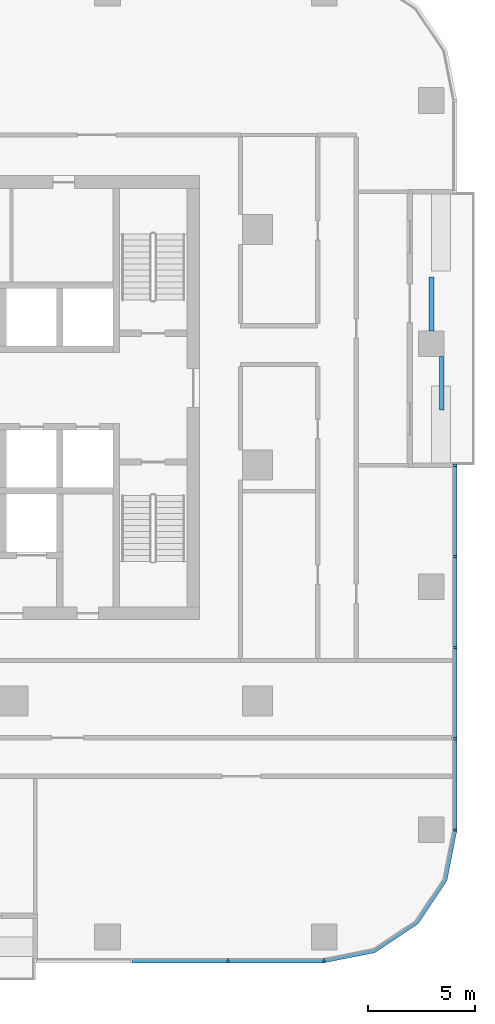
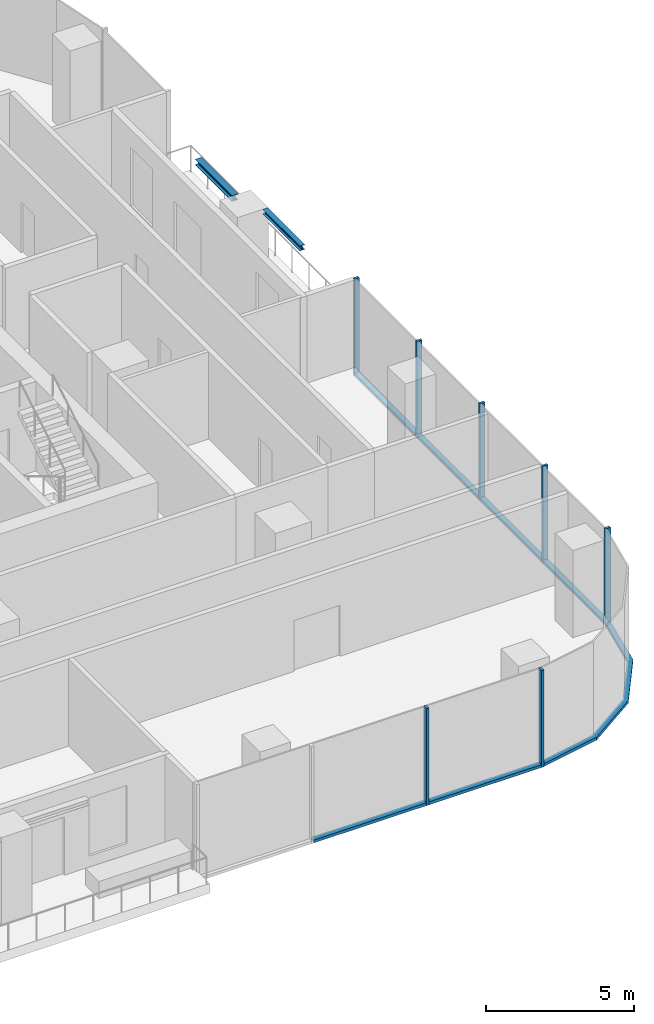
# One storey, part 3 of 14: 14 members, 2 beams, 3 elements without a shape of their own.
"""IFC4 building model written with IfcOpenShell, lengths in metres."""

import ifcopenshell
import ifcopenshell.guid

model = None  # the IFC model being written
_history = None  # IfcOwnerHistory: only IFC2X3 demands one
_inside = {}  # id of a spatial element -> (the spatial element, [elements in it])
_under = {}  # id of a project, library or spatial element -> (it, [spatial elements below it])
_declared = {}  # id of a project -> (the project, [libraries it declares])
_typed = {}  # id of a type object -> (the type object, [elements of that type])
_made_of = {}  # id of a material, layer set ... -> (it, [elements and type objects made of it])


def new_model(schema):
    """Start an empty IFC model of exactly this schema.

    Asked for "IFC4X3", IfcOpenShell would pick the latest addendum, in which some entities
    have other attributes; the version numbers below select the first issue.
    IFC2X3 requires an IfcOwnerHistory on every rooted entity: one is made here for all.
    """
    global model, _history
    if schema == "IFC4X3":
        model = ifcopenshell.file(schema_version=(4, 3, 0, 0))
    else:
        model = ifcopenshell.file(schema=schema)
    _inside.clear()
    _under.clear()
    _declared.clear()
    _typed.clear()
    _made_of.clear()
    _history = None
    if model.schema == "IFC2X3":
        org = make("IfcOrganization", Name="unknown")
        user = make(
            "IfcPersonAndOrganization",
            ThePerson=make("IfcPerson", FamilyName="unknown"),
            TheOrganization=org,
        )
        app = make(
            "IfcApplication",
            ApplicationDeveloper=org,
            Version="unknown",
            ApplicationFullName="unknown",
            ApplicationIdentifier="unknown",
        )
        _history = make(
            "IfcOwnerHistory",
            OwningUser=user,
            OwningApplication=app,
            ChangeAction="ADDED",
            CreationDate=0,
        )
    return model


def make(cls, **values):
    """One entity of the class cls with the attributes given. An attribute that is None is left unset."""
    return model.create_entity(
        cls, **{name: value for name, value in values.items() if value is not None}
    )


def rooted(cls, **values):
    """An entity with a GlobalId (a new one), such as an element, a storey or a relation."""
    return make(cls, GlobalId=ifcopenshell.guid.new(), OwnerHistory=_history, **values)


def si_unit(unit_type, name, prefix=None):
    """IfcSIUnit, for example si_unit("LENGTHUNIT", "METRE", prefix="MILLI")."""
    return make("IfcSIUnit", UnitType=unit_type, Prefix=prefix, Name=name)


def assignment(units):
    """IfcUnitAssignment: the units of a project."""
    return None if units is None else make("IfcUnitAssignment", Units=units)


def point(xyz):
    """IfcCartesianPoint."""
    return None if xyz is None else make("IfcCartesianPoint", Coordinates=xyz)


def direction(xyz):
    """IfcDirection."""
    return None if xyz is None else make("IfcDirection", DirectionRatios=xyz)


def frame(location, z_axis=None, x_axis=None):
    """IfcAxis2Placement3D, a coordinate frame: its origin and axes. An axis left out is left unset."""
    return make(
        "IfcAxis2Placement3D",
        Location=point(location),
        Axis=direction(z_axis),
        RefDirection=direction(x_axis),
    )


def frame_2d(location, x_axis=None):
    """IfcAxis2Placement2D, a coordinate frame in the plane: its origin and x axis."""
    return make(
        "IfcAxis2Placement2D", Location=point(location), RefDirection=direction(x_axis)
    )


def origin():
    """The frame at (0, 0, 0) with its axes left unset."""
    return frame((0.0, 0.0, 0.0))


def origin_2d():
    """The frame at (0, 0) in the plane with its x axis left unset."""
    return frame_2d((0.0, 0.0))


def place(relative_to, where):
    """IfcLocalPlacement: puts the frame where relative to a parent placement (None: the world)."""
    return make(
        "IfcLocalPlacement", PlacementRelTo=relative_to, RelativePlacement=where
    )


def context(
    kind, dimensions, precision=None, world=None, true_north=None, identifier=None
):
    """IfcGeometricRepresentationContext, for example the 3D "Model" context."""
    return make(
        "IfcGeometricRepresentationContext",
        ContextIdentifier=identifier,
        ContextType=kind,
        CoordinateSpaceDimension=dimensions,
        Precision=precision,
        WorldCoordinateSystem=world,
        TrueNorth=true_north,
    )


def subcontext(parent, identifier, kind, view, scale=None):
    """IfcGeometricRepresentationSubContext, for example "Body" below "Model"."""
    return make(
        "IfcGeometricRepresentationSubContext",
        ContextIdentifier=identifier,
        ContextType=kind,
        ParentContext=parent,
        TargetScale=scale,
        TargetView=view,
    )


def project(units=None, contexts=None):
    """IfcProject with its units and contexts."""
    return rooted(
        "IfcProject",
        Name="project",
        RepresentationContexts=contexts,
        UnitsInContext=assignment(units),
    )


def spatial(cls, under=None, at=None, **own):
    """A site, building, storey or space (cls), placed at a placement, below another one or the project."""
    s = rooted(cls, ObjectPlacement=at, **own)
    if under is not None:
        _under.setdefault(under.id(), (under, []))[1].append(s)
    return s


def polyline(points):
    """IfcPolyline through the points."""
    return make("IfcPolyline", Points=[point(p) for p in points])


def profile(cls, at=None, kind="AREA", **sizes):
    """A parametric profile (cls). Its sizes go by their IFC names, for example OverallWidth=200.0."""
    return make(cls, ProfileType=kind, Position=at, **sizes)


def rectangle(**sizes):
    """IfcRectangleProfileDef."""
    return profile("IfcRectangleProfileDef", **sizes)


def i_section(**sizes):
    """IfcIShapeProfileDef."""
    return profile("IfcIShapeProfileDef", **sizes)


def outline(outer, holes=None, kind="AREA"):
    """IfcArbitraryClosedProfileDef: a profile drawn as a closed curve; with holes, ...WithVoids."""
    if holes is None:
        return make("IfcArbitraryClosedProfileDef", ProfileType=kind, OuterCurve=outer)
    return make(
        "IfcArbitraryProfileDefWithVoids",
        ProfileType=kind,
        OuterCurve=outer,
        InnerCurves=holes,
    )


def extrude(swept, where, along, depth):
    """IfcExtrudedAreaSolid: the profile swept, set in the frame where, extruded along a direction by depth."""
    return make(
        "IfcExtrudedAreaSolid",
        SweptArea=swept,
        Position=where,
        ExtrudedDirection=direction(along),
        Depth=depth,
    )


def shape(context_of_items, identifier, shape_type, items):
    """IfcShapeRepresentation: the items that make up one representation, for example the "Body"."""
    return make(
        "IfcShapeRepresentation",
        ContextOfItems=context_of_items,
        RepresentationIdentifier=identifier,
        RepresentationType=shape_type,
        Items=items,
    )


def material(Name=None, Category=None):
    """IfcMaterial."""
    return make("IfcMaterial", Name=Name, Category=Category)


def material_profile(
    of_material, cross_section, Name=None, Category=None, Priority=None
):
    """IfcMaterialProfile: a cross section and its material."""
    return make(
        "IfcMaterialProfile",
        Name=Name,
        Material=of_material,
        Profile=cross_section,
        Priority=Priority,
        Category=Category,
    )


def profile_set(profiles, Name=None, composite=None):
    """IfcMaterialProfileSet."""
    return make(
        "IfcMaterialProfileSet",
        Name=Name,
        MaterialProfiles=profiles,
        CompositeProfile=composite,
    )


def made_of(thing, what):
    """Note that an element or type object is made of a material, layer set ...; save() writes the relation."""
    if what is not None:
        _made_of.setdefault(what.id(), (what, []))[1].append(thing)
    return thing


def type_object(cls, material=None, **own):
    """A type object (cls), such as IfcWallType, which elements share."""
    return made_of(rooted(cls, **own), material)


def element(
    cls,
    number,
    at=None,
    inside=None,
    cuts=None,
    type_object=None,
    material=None,
    context=None,
    identifier="Body",
    shape_type=None,
    held_by="IfcProductDefinitionShape",
    body=None,
    shapes=None,
    **own,
):
    """One element of the class cls, such as IfcWall. Its Tag is "e" and its number.

    at: its placement. inside: the storey or other place that contains it. cuts: it is an
    opening in that element (IfcRelVoidsElement). A single representation is given by context,
    identifier, shape_type and body (its items); several are given by shapes. held_by: the class
    of the entity that holds the representations. save() writes the other relations.
    """
    e = rooted(cls, Tag="e%d" % number, ObjectPlacement=at, **own)
    if body is not None:
        shapes = [shape(context, identifier, shape_type, body)]
    if shapes is not None:
        e.Representation = make(held_by, Representations=shapes)
    if inside is not None:
        _inside.setdefault(inside.id(), (inside, []))[1].append(e)
    if cuts is not None:
        rooted(
            "IfcRelVoidsElement", RelatingBuildingElement=cuts, RelatedOpeningElement=e
        )
    if type_object is not None:
        _typed.setdefault(type_object.id(), (type_object, []))[1].append(e)
    return made_of(e, material)


def aggregate(whole, parts):
    """IfcRelAggregates: a whole, such as a stair, and the parts it consists of."""
    return rooted("IfcRelAggregates", RelatingObject=whole, RelatedObjects=parts)


def save(model, path):
    """Write the relations noted so far, then the file.

    IfcRelAggregates (storeys below a building ...), IfcRelContainedInSpatialStructure (elements
    in a storey), IfcRelDefinesByType, IfcRelAssociatesMaterial and IfcRelDeclares: one each for
    every whole, place, type object, material and project.
    """
    for whole, parts in _under.values():
        aggregate(whole, parts)
    for where, things in _inside.values():
        rooted(
            "IfcRelContainedInSpatialStructure",
            RelatedElements=things,
            RelatingStructure=where,
        )
    for kind, things in _typed.values():
        rooted("IfcRelDefinesByType", RelatedObjects=things, RelatingType=kind)
    for what, things in _made_of.values():
        rooted("IfcRelAssociatesMaterial", RelatedObjects=things, RelatingMaterial=what)
    for by, libraries in _declared.values():
        rooted("IfcRelDeclares", RelatingContext=by, RelatedDefinitions=libraries)
    model.write(path)


model = new_model("IFC4")

# Units and contexts
model_context = context("Model", 3, precision=1e-05, world=origin(), true_north=direction((0.0, 1.0)))
body_context = subcontext(model_context, "Body", "Model", "MODEL_VIEW")
ifc_project = project(units=[si_unit("LENGTHUNIT", "METRE"), si_unit("AREAUNIT", "SQUARE_METRE"), si_unit("VOLUMEUNIT", "CUBIC_METRE"), si_unit("PLANEANGLEUNIT", "RADIAN"), si_unit("MASSUNIT", "GRAM", prefix="KILO")], contexts=[model_context])

# Site, building, storey
site_placement = place(None, origin())
site = spatial("IfcSite", under=ifc_project, at=site_placement, CompositionType="ELEMENT")
building_placement = place(site_placement, origin())
building = spatial("IfcBuilding", under=site, at=building_placement, Name="Mopane Tessera Tower", CompositionType="ELEMENT")
storey_placement = place(building_placement, frame((0.0, 0.0, 165.0)))
storey = spatial("IfcBuildingStorey", under=building, at=storey_placement, Name="L33", CompositionType="ELEMENT", Elevation=165.0)

# Curtain wall, members
ifc_material_1 = material(Name="Aluminium frame", Category="aluminium")
curtain_wall_type = type_object("IfcCurtainWallType", Name="Unitised curtain wall", PredefinedType="NOTDEFINED", material=ifc_material_1)
curtain_wall_1_placement = place(storey_placement, origin())
curtain_wall_1 = element("IfcCurtainWall", 1, at=curtain_wall_1_placement, inside=storey, type_object=curtain_wall_type, Name="e:cw:L33:S:6", PredefinedType="NOTDEFINED")
ifc_material_2 = material(Name="Aluminium frame", Category="aluminium")
ifc_material_profile_1 = material_profile(ifc_material_2, rectangle(XDim=0.10009765625, YDim=0.199951171875, at=origin_2d()))
ifc_profile_set_1 = profile_set([ifc_material_profile_1], Name="Aluminium frame")
member_type_1 = type_object("IfcMemberType", Name="Aluminium mullion 100 x 200", PredefinedType="MULLION", material=ifc_profile_set_1)
member_1_placement = place(storey_placement, frame((15.711181640625, -23.10009765625, -0.39990234375), z_axis=(0.0, 0.0, 1.0), x_axis=(1.0, 0.0, 0.0)))
member_1 = element("IfcMember", 2, at=member_1_placement, type_object=member_type_1, Name="e:cw:L33:S:6:mu8", PredefinedType="MULLION", context=body_context, shape_type="SweptSolid", body=[
    extrude(rectangle(XDim=0.10009765625, YDim=0.199951171875, at=origin_2d()), origin(), (0.0, 0.0, 1.0), 4.0),
])
member_2_placement = place(storey_placement, frame((20.199951171875, -23.10009765625, -0.39990234375), z_axis=(0.0, 0.0, 1.0), x_axis=(1.0, 0.0, 0.0)))
member_2 = element("IfcMember", 3, at=member_2_placement, type_object=member_type_1, Name="e:cw:L33:S:6:mu9", PredefinedType="MULLION", context=body_context, shape_type="SweptSolid", body=[
    extrude(rectangle(XDim=0.10009765625, YDim=0.199951171875, at=origin_2d()), origin(), (0.0, 0.0, 1.0), 4.0),
])

curtain_wall_2_placement = place(storey_placement, origin())
curtain_wall_2 = element("IfcCurtainWall", 4, at=curtain_wall_2_placement, inside=storey, type_object=curtain_wall_type, Name="e:cw:L33:E:0", PredefinedType="NOTDEFINED")
member_3_placement = place(storey_placement, frame((26.300048828125, -17.0, -0.39990234375), z_axis=(0.0, 0.0, 1.0), x_axis=(0.0, 1.0, 0.0)))
member_3 = element("IfcMember", 5, at=member_3_placement, type_object=member_type_1, Name="e:cw:L33:E:0:mu0", PredefinedType="MULLION", context=body_context, shape_type="SweptSolid", body=[
    extrude(rectangle(XDim=0.10009765625, YDim=0.199951171875, at=origin_2d()), origin(), (0.0, 0.0, 1.0), 4.0),
])
member_4_placement = place(storey_placement, frame((26.300048828125, -12.75, -0.39990234375), z_axis=(0.0, 0.0, 1.0), x_axis=(0.0, 1.0, 0.0)))
member_4 = element("IfcMember", 6, at=member_4_placement, type_object=member_type_1, Name="e:cw:L33:E:0:mu1", PredefinedType="MULLION", context=body_context, shape_type="SweptSolid", body=[
    extrude(rectangle(XDim=0.10009765625, YDim=0.199951171875, at=origin_2d()), origin(), (0.0, 0.0, 1.0), 4.0),
])
member_5_placement = place(storey_placement, frame((26.300048828125, -8.5, -0.39990234375), z_axis=(0.0, 0.0, 1.0), x_axis=(0.0, 1.0, 0.0)))
member_5 = element("IfcMember", 7, at=member_5_placement, type_object=member_type_1, Name="e:cw:L33:E:0:mu2", PredefinedType="MULLION", context=body_context, shape_type="SweptSolid", body=[
    extrude(rectangle(XDim=0.10009765625, YDim=0.199951171875, at=origin_2d()), origin(), (0.0, 0.0, 1.0), 4.0),
])
member_6_placement = place(storey_placement, frame((26.300048828125, -4.25, -0.39990234375), z_axis=(0.0, 0.0, 1.0), x_axis=(0.0, 1.0, 0.0)))
member_6 = element("IfcMember", 8, at=member_6_placement, type_object=member_type_1, Name="e:cw:L33:E:0:mu3", PredefinedType="MULLION", context=body_context, shape_type="SweptSolid", body=[
    extrude(rectangle(XDim=0.10009765625, YDim=0.199951171875, at=origin_2d()), origin(), (0.0, 0.0, 1.0), 4.0),
])
member_7_placement = place(storey_placement, frame((26.300048828125, 0.0, -0.39990234375), z_axis=(0.0, 0.0, 1.0), x_axis=(0.0, 1.0, 0.0)))
member_7 = element("IfcMember", 9, at=member_7_placement, type_object=member_type_1, Name="e:cw:L33:E:0:mu4", PredefinedType="MULLION", context=body_context, shape_type="SweptSolid", body=[
    extrude(rectangle(XDim=0.10009765625, YDim=0.199951171875, at=origin_2d()), origin(), (0.0, 0.0, 1.0), 4.0),
])

# Member
ifc_material_3 = material(Name="Aluminium frame", Category="aluminium")
ifc_material_profile_2 = material_profile(ifc_material_3, rectangle(XDim=0.199951171875, YDim=0.1201171875, at=origin_2d()))
ifc_profile_set_2 = profile_set([ifc_material_profile_2], Name="Aluminium frame")
member_type_2 = type_object("IfcMemberType", Name="Aluminium transom 200 x 120", PredefinedType="USERDEFINED", material=ifc_profile_set_2)
member_8_placement = place(storey_placement, frame((11.272216796875, -23.10009765625, -0.340087890625), z_axis=(1.0, 0.0, 0.0), x_axis=(0.0, 1.0, 0.0)))
member_8 = element("IfcMember", 10, at=member_8_placement, type_object=member_type_2, Name="e:cw:L33:S:6:tr7", ObjectType="TRANSOM", PredefinedType="USERDEFINED", context=body_context, shape_type="SweptSolid", body=[
    extrude(rectangle(XDim=0.199951171875, YDim=0.1201171875, at=origin_2d()), origin(), (0.0, 0.0, 1.0), 4.388916015625),
])

member_9_placement = place(storey_placement, frame((15.76123046875, -23.10009765625, -0.340087890625), z_axis=(1.0, 0.0, 0.0), x_axis=(0.0, 1.0, 0.0)))
member_9 = element("IfcMember", 11, at=member_9_placement, type_object=member_type_2, Name="e:cw:L33:S:6:tr8", ObjectType="TRANSOM", PredefinedType="USERDEFINED", context=body_context, shape_type="SweptSolid", body=[
    extrude(rectangle(XDim=0.199951171875, YDim=0.1201171875, at=origin_2d()), origin(), (0.0, 0.0, 1.0), 4.388671875),
])

aggregate(curtain_wall_1, [member_1, member_2, member_8, member_9])

# Curtain wall, member
curtain_wall_3_placement = place(storey_placement, origin())
curtain_wall_3 = element("IfcCurtainWall", 12, at=curtain_wall_3_placement, inside=storey, type_object=curtain_wall_type, Name="e:cw:L33:CS", PredefinedType="NOTDEFINED")
member_10_placement = place(storey_placement, frame((0.0, 0.0, -0.39990234375)))
member_10 = element("IfcMember", 13, at=member_10_placement, type_object=member_type_2, Name="e:cw:L33:CS:tr", ObjectType="TRANSOM", PredefinedType="USERDEFINED", context=body_context, shape_type="SweptSolid", body=[
    extrude(outline(polyline([(20.199951171875, -23.0), (22.49609375, -22.543212890625), (24.442626953125, -21.24267578125), (25.7431640625, -19.296142578125), (26.199951171875, -17.0), (26.39990234375, -17.0), (25.927978515625, -19.37255859375), (24.583984375, -21.384033203125), (22.57275390625, -22.72802734375), (20.199951171875, -23.199951171875), (20.199951171875, -23.0)])), origin(), (0.0, 0.0, 1.0), 0.119873046875),
])
aggregate(curtain_wall_3, [member_10])

# Member
member_11_placement = place(storey_placement, frame((26.300048828125, -16.949951171875, -0.340087890625), z_axis=(0.0, 1.0, 0.0), x_axis=(-1.0, 0.0, 0.0)))
member_11 = element("IfcMember", 14, at=member_11_placement, type_object=member_type_2, Name="e:cw:L33:E:0:tr0", ObjectType="TRANSOM", PredefinedType="USERDEFINED", context=body_context, shape_type="SweptSolid", body=[
    extrude(rectangle(XDim=0.199951171875, YDim=0.1201171875, at=origin_2d()), origin(), (0.0, 0.0, 1.0), 4.14990234375),
])

member_12_placement = place(storey_placement, frame((26.300048828125, -12.699951171875, -0.340087890625), z_axis=(0.0, 1.0, 0.0), x_axis=(-1.0, 0.0, 0.0)))
member_12 = element("IfcMember", 15, at=member_12_placement, type_object=member_type_2, Name="e:cw:L33:E:0:tr1", ObjectType="TRANSOM", PredefinedType="USERDEFINED", context=body_context, shape_type="SweptSolid", body=[
    extrude(rectangle(XDim=0.199951171875, YDim=0.1201171875, at=origin_2d()), origin(), (0.0, 0.0, 1.0), 4.14990234375),
])

member_13_placement = place(storey_placement, frame((26.300048828125, -8.449951171875, -0.340087890625), z_axis=(0.0, 1.0, 0.0), x_axis=(-1.0, 0.0, 0.0)))
member_13 = element("IfcMember", 16, at=member_13_placement, type_object=member_type_2, Name="e:cw:L33:E:0:tr2", ObjectType="TRANSOM", PredefinedType="USERDEFINED", context=body_context, shape_type="SweptSolid", body=[
    extrude(rectangle(XDim=0.199951171875, YDim=0.1201171875, at=origin_2d()), origin(), (0.0, 0.0, 1.0), 4.14990234375),
])

member_14_placement = place(storey_placement, frame((26.300048828125, -4.199951171875, -0.340087890625), z_axis=(0.0, 1.0, 0.0), x_axis=(-1.0, 0.0, 0.0)))
member_14 = element("IfcMember", 17, at=member_14_placement, type_object=member_type_2, Name="e:cw:L33:E:0:tr3", ObjectType="TRANSOM", PredefinedType="USERDEFINED", context=body_context, shape_type="SweptSolid", body=[
    extrude(rectangle(XDim=0.199951171875, YDim=0.1201171875, at=origin_2d()), origin(), (0.0, 0.0, 1.0), 4.14990234375),
])

aggregate(curtain_wall_2, [member_3, member_4, member_5, member_6, member_7, member_11, member_12, member_13, member_14])

# Beams
ifc_material_4 = material(Name="Structural steel S460", Category="steel")
ifc_material_profile_3 = material_profile(ifc_material_4, i_section(OverallWidth=0.239990234375, OverallDepth=0.239990234375, WebThickness=0.010009765625, FlangeThickness=0.01708984375, FilletRadius=0.02099609375, at=origin_2d()))
ifc_profile_set_3 = profile_set([ifc_material_profile_3], Name="Structural steel S460")
beam_type_1 = type_object("IfcBeamType", Name="Terrace spandrel beam HE 240 B", PredefinedType="SPANDREL", material=ifc_profile_set_3)
beam_1_placement = place(storey_placement, frame((25.199951171875, 6.269775390625, 3.47998046875), z_axis=(0.0, 1.0, 0.0), x_axis=(-1.0, 0.0, 0.0)))
element("IfcBeam", 18, at=beam_1_placement, inside=storey, type_object=beam_type_1, Name="Terrace spandrel beam N3 L34", PredefinedType="SPANDREL", context=body_context, shape_type="SweptSolid", body=[
    extrude(i_section(OverallWidth=0.239990234375, OverallDepth=0.239990234375, WebThickness=0.010009765625, FlangeThickness=0.01708984375, FilletRadius=0.02099609375, at=origin_2d()), origin(), (0.0, 0.0, 1.0), 2.5),
])
ifc_material_5 = material(Name="Structural steel S460", Category="steel")
ifc_material_profile_4 = material_profile(ifc_material_5, i_section(OverallWidth=0.199951171875, OverallDepth=0.199951171875, WebThickness=0.009033203125, FlangeThickness=0.014892578125, FilletRadius=0.01806640625, at=origin_2d()))
ifc_profile_set_4 = profile_set([ifc_material_profile_4], Name="Structural steel S460")
beam_type_2 = type_object("IfcBeamType", Name="Terrace trimmer beam HE 200 B", PredefinedType="BEAM", material=ifc_profile_set_4)
beam_2_placement = place(storey_placement, frame((25.679931640625, 5.063720703125, 3.5), z_axis=(0.0, -1.0, 0.0), x_axis=(1.0, 0.0, 0.0)))
element("IfcBeam", 19, at=beam_2_placement, inside=storey, type_object=beam_type_2, Name="Terrace trimmer beam N3 L34", PredefinedType="BEAM", context=body_context, shape_type="SweptSolid", body=[
    extrude(i_section(OverallWidth=0.199951171875, OverallDepth=0.199951171875, WebThickness=0.009033203125, FlangeThickness=0.014892578125, FilletRadius=0.01806640625, at=origin_2d()), origin(), (0.0, 0.0, 1.0), 2.5),
])

save(model, "model.ifc")
